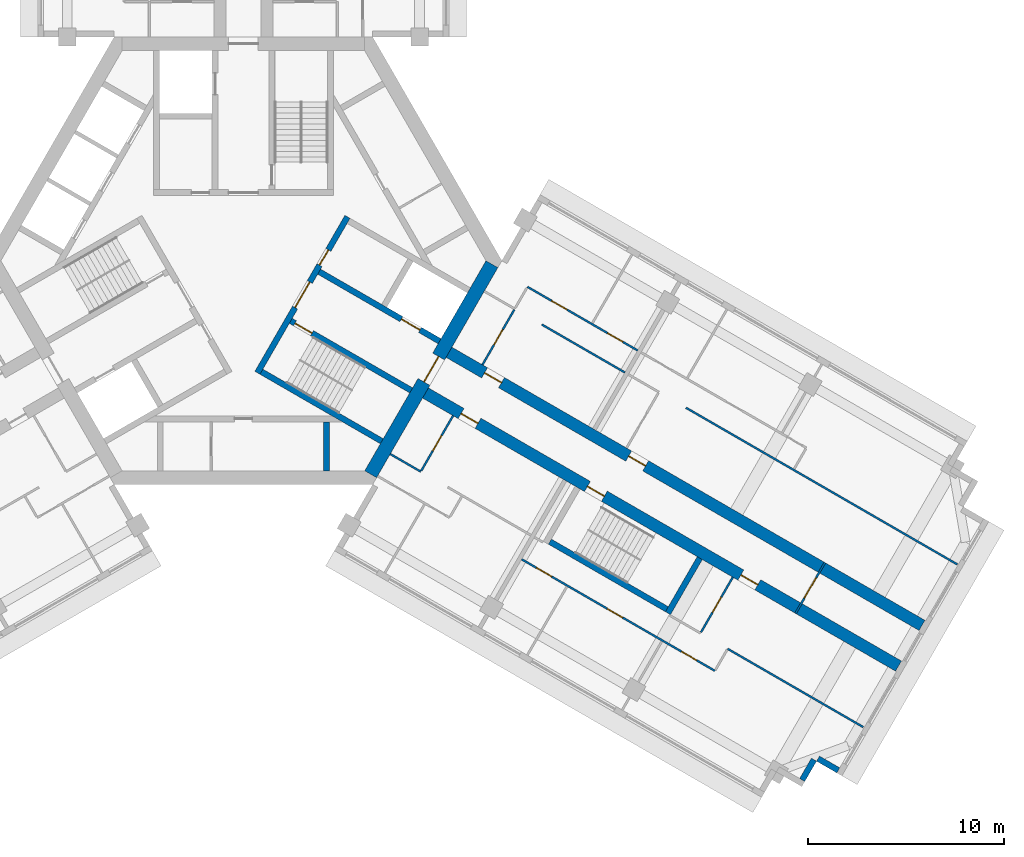
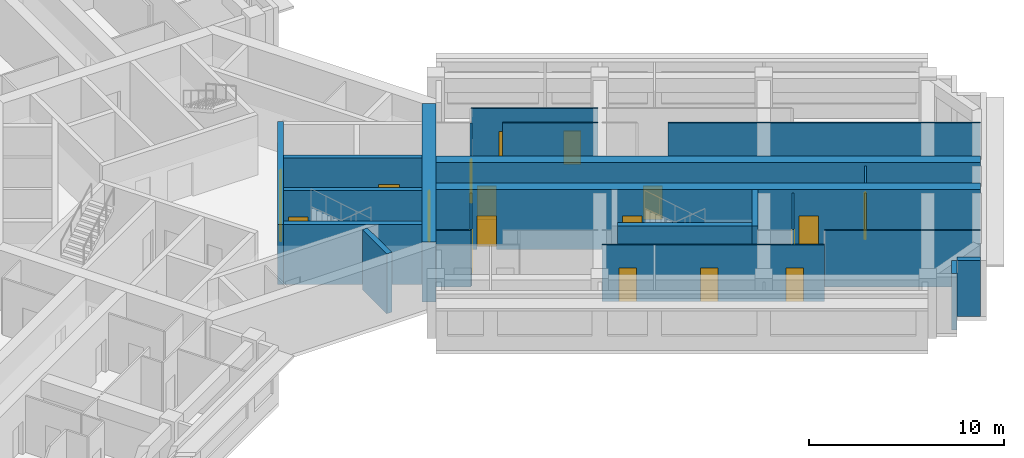
# One storey, part 5 of 10: 22 walls, 19 doors, 19 openings.
"""IFC4 building model written with IfcOpenShell, lengths in metres."""

import ifcopenshell
import ifcopenshell.guid

model = None  # the IFC model being written
_history = None  # IfcOwnerHistory: only IFC2X3 demands one
_inside = {}  # id of a spatial element -> (the spatial element, [elements in it])
_under = {}  # id of a project, library or spatial element -> (it, [spatial elements below it])
_declared = {}  # id of a project -> (the project, [libraries it declares])
_typed = {}  # id of a type object -> (the type object, [elements of that type])
_made_of = {}  # id of a material, layer set ... -> (it, [elements and type objects made of it])


def new_model(schema):
    """Start an empty IFC model of exactly this schema.

    Asked for "IFC4X3", IfcOpenShell would pick the latest addendum, in which some entities
    have other attributes; the version numbers below select the first issue.
    IFC2X3 requires an IfcOwnerHistory on every rooted entity: one is made here for all.
    """
    global model, _history
    if schema == "IFC4X3":
        model = ifcopenshell.file(schema_version=(4, 3, 0, 0))
    else:
        model = ifcopenshell.file(schema=schema)
    _inside.clear()
    _under.clear()
    _declared.clear()
    _typed.clear()
    _made_of.clear()
    _history = None
    if model.schema == "IFC2X3":
        org = make("IfcOrganization", Name="unknown")
        user = make(
            "IfcPersonAndOrganization",
            ThePerson=make("IfcPerson", FamilyName="unknown"),
            TheOrganization=org,
        )
        app = make(
            "IfcApplication",
            ApplicationDeveloper=org,
            Version="unknown",
            ApplicationFullName="unknown",
            ApplicationIdentifier="unknown",
        )
        _history = make(
            "IfcOwnerHistory",
            OwningUser=user,
            OwningApplication=app,
            ChangeAction="ADDED",
            CreationDate=0,
        )
    return model


def make(cls, **values):
    """One entity of the class cls with the attributes given. An attribute that is None is left unset."""
    return model.create_entity(
        cls, **{name: value for name, value in values.items() if value is not None}
    )


def rooted(cls, **values):
    """An entity with a GlobalId (a new one), such as an element, a storey or a relation."""
    return make(cls, GlobalId=ifcopenshell.guid.new(), OwnerHistory=_history, **values)


def si_unit(unit_type, name, prefix=None):
    """IfcSIUnit, for example si_unit("LENGTHUNIT", "METRE", prefix="MILLI")."""
    return make("IfcSIUnit", UnitType=unit_type, Prefix=prefix, Name=name)


def assignment(units):
    """IfcUnitAssignment: the units of a project."""
    return None if units is None else make("IfcUnitAssignment", Units=units)


def point(xyz):
    """IfcCartesianPoint."""
    return None if xyz is None else make("IfcCartesianPoint", Coordinates=xyz)


def direction(xyz):
    """IfcDirection."""
    return None if xyz is None else make("IfcDirection", DirectionRatios=xyz)


def frame(location, z_axis=None, x_axis=None):
    """IfcAxis2Placement3D, a coordinate frame: its origin and axes. An axis left out is left unset."""
    return make(
        "IfcAxis2Placement3D",
        Location=point(location),
        Axis=direction(z_axis),
        RefDirection=direction(x_axis),
    )


def frame_2d(location, x_axis=None):
    """IfcAxis2Placement2D, a coordinate frame in the plane: its origin and x axis."""
    return make(
        "IfcAxis2Placement2D", Location=point(location), RefDirection=direction(x_axis)
    )


def origin():
    """The frame at (0, 0, 0) with its axes left unset."""
    return frame((0.0, 0.0, 0.0))


def place(relative_to, where):
    """IfcLocalPlacement: puts the frame where relative to a parent placement (None: the world)."""
    return make(
        "IfcLocalPlacement", PlacementRelTo=relative_to, RelativePlacement=where
    )


def context(
    kind, dimensions, precision=None, world=None, true_north=None, identifier=None
):
    """IfcGeometricRepresentationContext, for example the 3D "Model" context."""
    return make(
        "IfcGeometricRepresentationContext",
        ContextIdentifier=identifier,
        ContextType=kind,
        CoordinateSpaceDimension=dimensions,
        Precision=precision,
        WorldCoordinateSystem=world,
        TrueNorth=true_north,
    )


def subcontext(parent, identifier, kind, view, scale=None):
    """IfcGeometricRepresentationSubContext, for example "Body" below "Model"."""
    return make(
        "IfcGeometricRepresentationSubContext",
        ContextIdentifier=identifier,
        ContextType=kind,
        ParentContext=parent,
        TargetScale=scale,
        TargetView=view,
    )


def project(units=None, contexts=None):
    """IfcProject with its units and contexts."""
    return rooted(
        "IfcProject",
        Name="project",
        RepresentationContexts=contexts,
        UnitsInContext=assignment(units),
    )


def spatial(cls, under=None, at=None, **own):
    """A site, building, storey or space (cls), placed at a placement, below another one or the project."""
    s = rooted(cls, ObjectPlacement=at, **own)
    if under is not None:
        _under.setdefault(under.id(), (under, []))[1].append(s)
    return s


def profile(cls, at=None, kind="AREA", **sizes):
    """A parametric profile (cls). Its sizes go by their IFC names, for example OverallWidth=200.0."""
    return make(cls, ProfileType=kind, Position=at, **sizes)


def rectangle(**sizes):
    """IfcRectangleProfileDef."""
    return profile("IfcRectangleProfileDef", **sizes)


def extrude(swept, where, along, depth):
    """IfcExtrudedAreaSolid: the profile swept, set in the frame where, extruded along a direction by depth."""
    return make(
        "IfcExtrudedAreaSolid",
        SweptArea=swept,
        Position=where,
        ExtrudedDirection=direction(along),
        Depth=depth,
    )


def shape(context_of_items, identifier, shape_type, items):
    """IfcShapeRepresentation: the items that make up one representation, for example the "Body"."""
    return make(
        "IfcShapeRepresentation",
        ContextOfItems=context_of_items,
        RepresentationIdentifier=identifier,
        RepresentationType=shape_type,
        Items=items,
    )


def material(Name=None, Category=None):
    """IfcMaterial."""
    return make("IfcMaterial", Name=Name, Category=Category)


def layer(
    of_material, thickness, ventilated=None, Name=None, Category=None, Priority=None
):
    """IfcMaterialLayer: one layer of a wall or slab, of a material (None: an air gap)."""
    return make(
        "IfcMaterialLayer",
        Material=of_material,
        LayerThickness=thickness,
        IsVentilated=ventilated,
        Name=Name,
        Category=Category,
        Priority=Priority,
    )


def layer_set(layers, Name=None):
    """IfcMaterialLayerSet."""
    return make("IfcMaterialLayerSet", MaterialLayers=layers, LayerSetName=Name)


def made_of(thing, what):
    """Note that an element or type object is made of a material, layer set ...; save() writes the relation."""
    if what is not None:
        _made_of.setdefault(what.id(), (what, []))[1].append(thing)
    return thing


def type_object(cls, material=None, **own):
    """A type object (cls), such as IfcWallType, which elements share."""
    return made_of(rooted(cls, **own), material)


def element(
    cls,
    number,
    at=None,
    inside=None,
    cuts=None,
    type_object=None,
    material=None,
    context=None,
    identifier="Body",
    shape_type=None,
    held_by="IfcProductDefinitionShape",
    body=None,
    shapes=None,
    **own,
):
    """One element of the class cls, such as IfcWall. Its Tag is "e" and its number.

    at: its placement. inside: the storey or other place that contains it. cuts: it is an
    opening in that element (IfcRelVoidsElement). A single representation is given by context,
    identifier, shape_type and body (its items); several are given by shapes. held_by: the class
    of the entity that holds the representations. save() writes the other relations.
    """
    e = rooted(cls, Tag="e%d" % number, ObjectPlacement=at, **own)
    if body is not None:
        shapes = [shape(context, identifier, shape_type, body)]
    if shapes is not None:
        e.Representation = make(held_by, Representations=shapes)
    if inside is not None:
        _inside.setdefault(inside.id(), (inside, []))[1].append(e)
    if cuts is not None:
        rooted(
            "IfcRelVoidsElement", RelatingBuildingElement=cuts, RelatedOpeningElement=e
        )
    if type_object is not None:
        _typed.setdefault(type_object.id(), (type_object, []))[1].append(e)
    return made_of(e, material)


def fill(opening, filler):
    """IfcRelFillsElement: the door or window that sits in an opening."""
    return rooted(
        "IfcRelFillsElement",
        RelatingOpeningElement=opening,
        RelatedBuildingElement=filler,
    )


def aggregate(whole, parts):
    """IfcRelAggregates: a whole, such as a stair, and the parts it consists of."""
    return rooted("IfcRelAggregates", RelatingObject=whole, RelatedObjects=parts)


def save(model, path):
    """Write the relations noted so far, then the file.

    IfcRelAggregates (storeys below a building ...), IfcRelContainedInSpatialStructure (elements
    in a storey), IfcRelDefinesByType, IfcRelAssociatesMaterial and IfcRelDeclares: one each for
    every whole, place, type object, material and project.
    """
    for whole, parts in _under.values():
        aggregate(whole, parts)
    for where, things in _inside.values():
        rooted(
            "IfcRelContainedInSpatialStructure",
            RelatedElements=things,
            RelatingStructure=where,
        )
    for kind, things in _typed.values():
        rooted("IfcRelDefinesByType", RelatedObjects=things, RelatingType=kind)
    for what, things in _made_of.values():
        rooted("IfcRelAssociatesMaterial", RelatedObjects=things, RelatingMaterial=what)
    for by, libraries in _declared.values():
        rooted("IfcRelDeclares", RelatingContext=by, RelatedDefinitions=libraries)
    model.write(path)


model = new_model("IFC4")

# Units and contexts
model_context = context("Model", 3, precision=1e-05, world=origin(), true_north=direction((0.0, 1.0)))
body_context = subcontext(model_context, "Body", "Model", "MODEL_VIEW")
ifc_project = project(units=[si_unit("LENGTHUNIT", "METRE"), si_unit("AREAUNIT", "SQUARE_METRE"), si_unit("VOLUMEUNIT", "CUBIC_METRE"), si_unit("PLANEANGLEUNIT", "RADIAN"), si_unit("MASSUNIT", "GRAM", prefix="KILO")], contexts=[model_context])

# Site, building, storey
site_placement = place(None, origin())
site = spatial("IfcSite", under=ifc_project, at=site_placement, CompositionType="ELEMENT")
building_placement = place(site_placement, origin())
building = spatial("IfcBuilding", under=site, at=building_placement, Name="Impinga Residences", CompositionType="ELEMENT")
storey_placement = place(building_placement, frame((0.0, 0.0, 222.25)))
storey = spatial("IfcBuildingStorey", under=building, at=storey_placement, Name="L55", CompositionType="ELEMENT", Elevation=222.25)

# Wall, openings, doors
ifc_material_1 = material(Name="Concrete C60/75", Category="concrete")
ifc_layer_1 = layer(ifc_material_1, 0.60009765625)
ifc_layer_set_1 = layer_set([ifc_layer_1], Name="Concrete C60/75")
wall_type_1 = type_object("IfcWallType", Name="BW3 corridor buttress wall, L46 to L73 600", PredefinedType="SHEAR", material=ifc_layer_set_1)
wall_1_placement = place(storey_placement, frame((10.19677734375, -4.50146484375, 0.0), z_axis=(0.0, 0.0, 1.0), x_axis=(0.866026415941, -0.499998246889, 0.0)))
wall_1 = element("IfcWall", 1, at=wall_1_placement, inside=storey, type_object=wall_type_1, Name="Corridor wall BW3 EC L55", PredefinedType="SHEAR", context=body_context, shape_type="SweptSolid", body=[
    extrude(rectangle(XDim=28.25, YDim=0.60009765625, at=frame_2d((14.125, 0.0))), origin(), (0.0, 0.0, 1.0), 3.75),
])
opening_1_placement = place(wall_1_placement, frame((2.449951171875, 0.0, 0.0)))
opening_1 = element("IfcOpeningElement", 2, at=opening_1_placement, cuts=wall_1, Name="Opening D1", PredefinedType="OPENING", context=body_context, shape_type="SweptSolid", body=[
    extrude(rectangle(XDim=1.0, YDim=2.10009765625, at=frame_2d((0.5, 1.050048828125))), frame((0.0, 0.31005859375, 0.0), z_axis=(0.0, -1.0, 0.0), x_axis=(1.0, 0.0, 0.0)), (0.0, 0.0, 1.0), 0.6201171875),
])
opening_2_placement = place(wall_1_placement, frame((10.949951171875, 0.0, 0.0)))
opening_2 = element("IfcOpeningElement", 3, at=opening_2_placement, cuts=wall_1, Name="Opening D1", PredefinedType="OPENING", context=body_context, shape_type="SweptSolid", body=[
    extrude(rectangle(XDim=1.0, YDim=2.10009765625, at=frame_2d((0.5, 1.050048828125))), frame((0.0, 0.31005859375, 0.0), z_axis=(0.0, -1.0, 0.0), x_axis=(1.0, 0.0, 0.0)), (0.0, 0.0, 1.0), 0.6201171875),
])
ifc_material_2 = material(Name="Timber door set", Category="wood")
door_type_1 = type_object("IfcDoorType", Name="D1 apartment entrance door 1000x2100", OperationType="SINGLE_SWING_LEFT", PredefinedType="DOOR", material=ifc_material_2)
door_1_placement = place(opening_1_placement, origin())
door_1 = element("IfcDoor", 4, at=door_1_placement, inside=storey, type_object=door_type_1, Name="Apartment L55-EA1 entrance", OperationType="SINGLE_SWING_LEFT", OverallHeight=2.10009765625, OverallWidth=1.0, PredefinedType="DOOR", context=body_context, shape_type="SweptSolid", body=[
    extrude(rectangle(XDim=1.0, YDim=2.10009765625, at=frame_2d((0.5, 1.050048828125))), frame((0.0, 0.02490234375, 0.0), z_axis=(0.0, -1.0, 0.0), x_axis=(1.0, 0.0, 0.0)), (0.0, 0.0, 1.0), 0.050048828125),
])
fill(opening_1, door_1)
door_2_placement = place(opening_2_placement, origin())
door_2 = element("IfcDoor", 5, at=door_2_placement, inside=storey, type_object=door_type_1, Name="Apartment L55-EA2 entrance", OperationType="SINGLE_SWING_LEFT", OverallHeight=2.10009765625, OverallWidth=1.0, PredefinedType="DOOR", context=body_context, shape_type="SweptSolid", body=[
    extrude(rectangle(XDim=1.0, YDim=2.10009765625, at=frame_2d((0.5, 1.050048828125))), frame((0.0, 0.02490234375, 0.0), z_axis=(0.0, -1.0, 0.0), x_axis=(1.0, 0.0, 0.0)), (0.0, 0.0, 1.0), 0.050048828125),
])
fill(opening_2, door_2)

wall_2_placement = place(storey_placement, frame((8.996826171875, -6.580078125, 0.0), z_axis=(0.0, 0.0, 1.0), x_axis=(0.866026415941, -0.499998246889, 0.0)))
wall_2 = element("IfcWall", 6, at=wall_2_placement, inside=storey, type_object=wall_type_1, Name="Corridor wall BW3 ED L55", PredefinedType="SHEAR", context=body_context, shape_type="SweptSolid", body=[
    extrude(rectangle(XDim=28.25, YDim=0.60009765625, at=frame_2d((14.125, 0.0))), origin(), (0.0, 0.0, 1.0), 3.75),
])
opening_3_placement = place(wall_2_placement, frame((9.89990234375, 0.0, 0.0)))
opening_3 = element("IfcOpeningElement", 7, at=opening_3_placement, cuts=wall_2, Name="Opening D5", PredefinedType="OPENING", context=body_context, shape_type="SweptSolid", body=[
    extrude(rectangle(XDim=1.0, YDim=2.10009765625, at=frame_2d((0.5, 1.050048828125))), frame((0.0, 0.31005859375, 0.0), z_axis=(0.0, -1.0, 0.0), x_axis=(1.0, 0.0, 0.0)), (0.0, 0.0, 1.0), 0.6201171875),
])
opening_4_placement = place(wall_2_placement, frame((2.449951171875, 0.0, 0.0)))
opening_4 = element("IfcOpeningElement", 8, at=opening_4_placement, cuts=wall_2, Name="Opening D1", PredefinedType="OPENING", context=body_context, shape_type="SweptSolid", body=[
    extrude(rectangle(XDim=1.0, YDim=2.10009765625, at=frame_2d((0.5, 1.050048828125))), frame((0.0, 0.31005859375, 0.0), z_axis=(0.0, -1.0, 0.0), x_axis=(1.0, 0.0, 0.0)), (0.0, 0.0, 1.0), 0.6201171875),
])
opening_5_placement = place(wall_2_placement, frame((18.949951171875, 0.0, 0.0)))
opening_5 = element("IfcOpeningElement", 9, at=opening_5_placement, cuts=wall_2, Name="Opening D1", PredefinedType="OPENING", context=body_context, shape_type="SweptSolid", body=[
    extrude(rectangle(XDim=1.0, YDim=2.10009765625, at=frame_2d((0.5, 1.050048828125))), frame((0.0, 0.31005859375, 0.0), z_axis=(0.0, -1.0, 0.0), x_axis=(1.0, 0.0, 0.0)), (0.0, 0.0, 1.0), 0.6201171875),
])
door_3_placement = place(opening_4_placement, origin())
door_3 = element("IfcDoor", 10, at=door_3_placement, inside=storey, type_object=door_type_1, Name="Apartment L55-EF1 entrance", OperationType="SINGLE_SWING_LEFT", OverallHeight=2.10009765625, OverallWidth=1.0, PredefinedType="DOOR", context=body_context, shape_type="SweptSolid", body=[
    extrude(rectangle(XDim=1.0, YDim=2.10009765625, at=frame_2d((0.5, 1.050048828125))), frame((0.0, 0.02490234375, 0.0), z_axis=(0.0, -1.0, 0.0), x_axis=(1.0, 0.0, 0.0)), (0.0, 0.0, 1.0), 0.050048828125),
])
fill(opening_4, door_3)
door_4_placement = place(opening_5_placement, origin())
door_4 = element("IfcDoor", 11, at=door_4_placement, inside=storey, type_object=door_type_1, Name="Apartment L55-EF2 entrance", OperationType="SINGLE_SWING_RIGHT", OverallHeight=2.10009765625, OverallWidth=1.0, PredefinedType="DOOR", context=body_context, shape_type="SweptSolid", body=[
    extrude(rectangle(XDim=1.0, YDim=2.10009765625, at=frame_2d((0.5, 1.050048828125))), frame((0.0, 0.02490234375, 0.0), z_axis=(0.0, -1.0, 0.0), x_axis=(1.0, 0.0, 0.0)), (0.0, 0.0, 1.0), 0.050048828125),
])
fill(opening_5, door_4)
door_type_2 = type_object("IfcDoorType", Name="D5 stair door 1000x2100", OperationType="SINGLE_SWING_LEFT", PredefinedType="DOOR", material=ifc_material_2)
door_5_placement = place(opening_3_placement, origin())
door_5 = element("IfcDoor", 12, at=door_5_placement, inside=storey, type_object=door_type_2, Name="Wing stair door E", OperationType="SINGLE_SWING_LEFT", OverallHeight=2.10009765625, OverallWidth=1.0, PredefinedType="DOOR", context=body_context, shape_type="SweptSolid", body=[
    extrude(rectangle(XDim=1.0, YDim=2.10009765625, at=frame_2d((0.5, 1.050048828125))), frame((0.0, 0.02490234375, 0.0), z_axis=(0.0, -1.0, 0.0), x_axis=(1.0, 0.0, 0.0)), (0.0, 0.0, 1.0), 0.050048828125),
])
fill(opening_3, door_5)

# Wall, opening, door
ifc_material_3 = material(Name="Concrete blockwork", Category="masonry")
ifc_layer_2 = layer(ifc_material_3, 0.10009765625)
ifc_layer_set_2 = layer_set([ifc_layer_2], Name="CP1 core room partition, blockwork 100")
wall_type_2 = type_object("IfcWallType", Name="CP1 core room partition, blockwork 100", PredefinedType="PARTITIONING", material=ifc_layer_set_2)
wall_3_placement = place(storey_placement, frame((29.70263671875, -15.416748046875, 0.0), z_axis=(0.0, 0.0, 1.0), x_axis=(-0.499990139034, -0.866031096941, 0.0)))
wall_3 = element("IfcWall", 13, at=wall_3_placement, inside=storey, type_object=wall_type_2, Name="Core room partition, blockwork L55:E:LNG", PredefinedType="PARTITIONING", context=body_context, shape_type="SweptSolid", body=[
    extrude(rectangle(XDim=3.0, YDim=0.10009765625, at=frame_2d((1.5, 0.0))), origin(), (0.0, 0.0, 1.0), 3.530029296875),
])
opening_6_placement = place(wall_3_placement, frame((0.89990234375, 0.0, 0.0)))
opening_6 = element("IfcOpeningElement", 14, at=opening_6_placement, cuts=wall_3, Name="Opening D3", PredefinedType="OPENING", context=body_context, shape_type="SweptSolid", body=[
    extrude(rectangle(XDim=1.199951171875, YDim=2.10009765625, at=frame_2d((0.60009765625, 1.050048828125))), frame((0.0, 0.06005859375, 0.0), z_axis=(0.0, -1.0, 0.0), x_axis=(1.0, 0.0, 0.0)), (0.0, 0.0, 1.0), 0.1201171875),
])
door_type_3 = type_object("IfcDoorType", Name="D3 room door, leaf and a half 1200x2100", OperationType="DOUBLE_SWING_LEFT", PredefinedType="DOOR", material=ifc_material_2)
door_6_placement = place(opening_6_placement, origin())
door_6 = element("IfcDoor", 15, at=door_6_placement, inside=storey, type_object=door_type_3, Name="Residents' lounge door E", OperationType="DOUBLE_SWING_LEFT", OverallHeight=2.10009765625, OverallWidth=1.199951171875, PredefinedType="DOOR", context=body_context, shape_type="SweptSolid", body=[
    extrude(rectangle(XDim=1.199951171875, YDim=2.10009765625, at=frame_2d((0.60009765625, 1.050048828125))), frame((0.0, 0.02490234375, 0.0), z_axis=(0.0, -1.0, 0.0), x_axis=(1.0, 0.0, 0.0)), (0.0, 0.0, 1.0), 0.050048828125),
])
fill(opening_6, door_6)

# Walls
ifc_material_4 = material(Name="Terracotta rainscreen on blockwork", Category="masonry")
ifc_layer_3 = layer(ifc_material_4, 0.300048828125)
ifc_layer_set_3 = layer_set([ifc_layer_3], Name="EW1 external wall, terracotta rainscreen on blockwork 300")
wall_type_3 = type_object("IfcWallType", Name="EW1 external wall, terracotta rainscreen on blockwork 300", PredefinedType="SOLIDWALL", material=ifc_layer_set_3)
wall_4_placement = place(storey_placement, frame((30.38720703125, -26.031005859375, 0.0), z_axis=(0.0, 0.0, 1.0), x_axis=(-0.866059708757, 0.499940577336, 0.0)))
element("IfcWall", 16, at=wall_4_placement, inside=storey, type_object=wall_type_3, Name="External wall EW1 L55", PredefinedType="SOLIDWALL", context=body_context, shape_type="SweptSolid", body=[
    extrude(rectangle(XDim=1.195068359375, YDim=0.300048828125, at=frame_2d((0.59765625, 0.0))), origin(), (0.0, 0.0, 1.0), 3.530029296875),
])
wall_5_placement = place(storey_placement, frame((29.14306640625, -25.48583984375, 0.0), z_axis=(0.0, 0.0, 1.0), x_axis=(-0.500033551112, -0.866006032174, 0.0)))
element("IfcWall", 17, at=wall_5_placement, inside=storey, type_object=wall_type_3, Name="External wall EW1 L55", PredefinedType="SOLIDWALL", context=body_context, shape_type="SweptSolid", body=[
    extrude(rectangle(XDim=1.2001953125, YDim=0.300048828125, at=frame_2d((0.60009765625, 0.0))), origin(), (0.0, 0.0, 1.0), 3.530029296875),
])
ifc_material_5 = material(Name="Gypsum board on steel studs", Category="steel")
ifc_layer_4 = layer(ifc_material_5, 0.10009765625)
ifc_layer_set_4 = layer_set([ifc_layer_4], Name="Gypsum board on steel studs")
wall_type_4 = type_object("IfcWallType", Name="IP1 partition 100", PredefinedType="PARTITIONING", material=ifc_layer_set_4)
wall_6_placement = place(storey_placement, frame((15.244384765625, -3.2587890625, 0.0), z_axis=(0.0, 0.0, 1.0), x_axis=(0.866036242063, -0.49998122708, 0.0)))
element("IfcWall", 18, at=wall_6_placement, inside=storey, type_object=wall_type_4, Name="Partition L55-EA1:DIV1", PredefinedType="PARTITIONING", context=body_context, shape_type="SweptSolid", body=[
    extrude(rectangle(XDim=4.900146484375, YDim=0.10009765625, at=frame_2d((2.4501953125, 0.0))), origin(), (0.0, 0.0, 1.0), 3.530029296875),
])

# Wall, openings, doors
wall_7_placement = place(storey_placement, frame((14.5087890625, -1.3330078125, 0.0), z_axis=(0.0, 0.0, 1.0), x_axis=(0.866024837091, -0.50000098154, 0.0)))
wall_7 = element("IfcWall", 19, at=wall_7_placement, inside=storey, type_object=wall_type_4, Name="Partition L55-EA1:STRIP", PredefinedType="PARTITIONING", context=body_context, shape_type="SweptSolid", body=[
    extrude(rectangle(XDim=6.5, YDim=0.10009765625, at=frame_2d((3.25, 0.0))), origin(), (0.0, 0.0, 1.0), 3.530029296875),
])
opening_7_placement = place(wall_7_placement, frame((1.425048828125, 0.0, 0.0)))
opening_7 = element("IfcOpeningElement", 20, at=opening_7_placement, cuts=wall_7, Name="Opening D2", PredefinedType="OPENING", context=body_context, shape_type="SweptSolid", body=[
    extrude(rectangle(XDim=0.89990234375, YDim=2.10009765625, at=frame_2d((0.449951171875, 1.050048828125))), frame((0.0, 0.06005859375, 0.0), z_axis=(0.0, -1.0, 0.0), x_axis=(1.0, 0.0, 0.0)), (0.0, 0.0, 1.0), 0.1201171875),
])
opening_8_placement = place(wall_7_placement, frame((4.72509765625, 0.0, 0.0)))
opening_8 = element("IfcOpeningElement", 21, at=opening_8_placement, cuts=wall_7, Name="Opening D2", PredefinedType="OPENING", context=body_context, shape_type="SweptSolid", body=[
    extrude(rectangle(XDim=0.89990234375, YDim=2.10009765625, at=frame_2d((0.449951171875, 1.050048828125))), frame((0.0, 0.06005859375, 0.0), z_axis=(0.0, -1.0, 0.0), x_axis=(1.0, 0.0, 0.0)), (0.0, 0.0, 1.0), 0.1201171875),
])
door_type_4 = type_object("IfcDoorType", Name="D2 internal door 900x2100", OperationType="SINGLE_SWING_LEFT", PredefinedType="DOOR", material=ifc_material_2)
door_7_placement = place(opening_7_placement, origin())
door_7 = element("IfcDoor", 22, at=door_7_placement, inside=storey, type_object=door_type_4, Name="Apartment L55-EA1 room door", OperationType="SINGLE_SWING_LEFT", OverallHeight=2.10009765625, OverallWidth=0.89990234375, PredefinedType="DOOR", context=body_context, shape_type="SweptSolid", body=[
    extrude(rectangle(XDim=0.89990234375, YDim=2.10009765625, at=frame_2d((0.449951171875, 1.050048828125))), frame((0.0, 0.02490234375, 0.0), z_axis=(0.0, -1.0, 0.0), x_axis=(1.0, 0.0, 0.0)), (0.0, 0.0, 1.0), 0.050048828125),
])
fill(opening_7, door_7)
door_8_placement = place(opening_8_placement, origin())
door_8 = element("IfcDoor", 23, at=door_8_placement, inside=storey, type_object=door_type_4, Name="Apartment L55-EA1 room door", OperationType="SINGLE_SWING_RIGHT", OverallHeight=2.10009765625, OverallWidth=0.89990234375, PredefinedType="DOOR", context=body_context, shape_type="SweptSolid", body=[
    extrude(rectangle(XDim=0.89990234375, YDim=2.10009765625, at=frame_2d((0.449951171875, 1.050048828125))), frame((0.0, 0.02490234375, 0.0), z_axis=(0.0, -1.0, 0.0), x_axis=(1.0, 0.0, 0.0)), (0.0, 0.0, 1.0), 0.050048828125),
])
fill(opening_8, door_8)

# Wall, opening, door
wall_8_placement = place(storey_placement, frame((12.208740234375, -5.316650390625, 0.0), z_axis=(0.0, 0.0, 1.0), x_axis=(0.500017246033, 0.866015446554, 0.0)))
wall_8 = element("IfcWall", 24, at=wall_8_placement, inside=storey, type_object=wall_type_4, Name="Partition L55-EA1:IB1", PredefinedType="PARTITIONING", context=body_context, shape_type="SweptSolid", body=[
    extrude(rectangle(XDim=3.25, YDim=0.10009765625, at=frame_2d((1.625, 0.0))), origin(), (0.0, 0.0, 1.0), 3.530029296875),
])
opening_9_placement = place(wall_8_placement, frame((1.175048828125, 0.0, 0.0)))
opening_9 = element("IfcOpeningElement", 25, at=opening_9_placement, cuts=wall_8, Name="Opening D2", PredefinedType="OPENING", context=body_context, shape_type="SweptSolid", body=[
    extrude(rectangle(XDim=0.89990234375, YDim=2.10009765625, at=frame_2d((0.449951171875, 1.050048828125))), frame((0.0, 0.06005859375, 0.0), z_axis=(0.0, -1.0, 0.0), x_axis=(1.0, 0.0, 0.0)), (0.0, 0.0, 1.0), 0.1201171875),
])
door_9_placement = place(opening_9_placement, origin())
door_9 = element("IfcDoor", 26, at=door_9_placement, inside=storey, type_object=door_type_4, Name="Apartment L55-EA1 bathroom door", OperationType="SINGLE_SWING_LEFT", OverallHeight=2.10009765625, OverallWidth=0.89990234375, PredefinedType="DOOR", context=body_context, shape_type="SweptSolid", body=[
    extrude(rectangle(XDim=0.89990234375, YDim=2.10009765625, at=frame_2d((0.449951171875, 1.050048828125))), frame((0.0, 0.02490234375, 0.0), z_axis=(0.0, -1.0, 0.0), x_axis=(1.0, 0.0, 0.0)), (0.0, 0.0, 1.0), 0.050048828125),
])
fill(opening_9, door_9)

# Walls
wall_9_placement = place(storey_placement, frame((22.605712890625, -7.5087890625, 0.0), z_axis=(0.0, 0.0, 1.0), x_axis=(0.866026010844, -0.49999894854, 0.0)))
element("IfcWall", 27, at=wall_9_placement, inside=storey, type_object=wall_type_4, Name="Partition L55-EA2:DIV1", PredefinedType="PARTITIONING", context=body_context, shape_type="SweptSolid", body=[
    extrude(rectangle(XDim=16.0, YDim=0.10009765625, at=frame_2d((8.0, 0.0))), origin(), (0.0, 0.0, 1.0), 3.530029296875),
])
wall_10_placement = place(storey_placement, frame((7.5, -9.872802734375, 0.0), z_axis=(0.0, 0.0, 1.0), x_axis=(0.866047807691, -0.499961193289, 0.0)))
element("IfcWall", 28, at=wall_10_placement, inside=storey, type_object=wall_type_4, Name="Partition L55-EF1:DIV0", PredefinedType="PARTITIONING", context=body_context, shape_type="SweptSolid", body=[
    extrude(rectangle(XDim=1.800048828125, YDim=0.10009765625, at=frame_2d((0.89990234375, 0.0))), origin(), (0.0, 0.0, 1.0), 3.530029296875),
])

# Wall, opening, door
wall_11_placement = place(storey_placement, frame((10.708740234375, -7.914794921875, 0.0), z_axis=(0.0, 0.0, 1.0), x_axis=(-0.499984717929, -0.866034226713, 0.0)))
wall_11 = element("IfcWall", 29, at=wall_11_placement, inside=storey, type_object=wall_type_4, Name="Partition L55-EF1:IB1", PredefinedType="PARTITIONING", context=body_context, shape_type="SweptSolid", body=[
    extrude(rectangle(XDim=3.25, YDim=0.10009765625, at=frame_2d((1.625, 0.0))), origin(), (0.0, 0.0, 1.0), 3.530029296875),
])
opening_10_placement = place(wall_11_placement, frame((1.175048828125, 0.0, 0.0)))
opening_10 = element("IfcOpeningElement", 30, at=opening_10_placement, cuts=wall_11, Name="Opening D2", PredefinedType="OPENING", context=body_context, shape_type="SweptSolid", body=[
    extrude(rectangle(XDim=0.89990234375, YDim=2.10009765625, at=frame_2d((0.449951171875, 1.050048828125))), frame((0.0, 0.06005859375, 0.0), z_axis=(0.0, -1.0, 0.0), x_axis=(1.0, 0.0, 0.0)), (0.0, 0.0, 1.0), 0.1201171875),
])
door_10_placement = place(opening_10_placement, origin())
door_10 = element("IfcDoor", 31, at=door_10_placement, inside=storey, type_object=door_type_4, Name="Apartment L55-EF1 bathroom door", OperationType="SINGLE_SWING_LEFT", OverallHeight=2.10009765625, OverallWidth=0.89990234375, PredefinedType="DOOR", context=body_context, shape_type="SweptSolid", body=[
    extrude(rectangle(XDim=0.89990234375, YDim=2.10009765625, at=frame_2d((0.449951171875, 1.050048828125))), frame((0.0, 0.02490234375, 0.0), z_axis=(0.0, -1.0, 0.0), x_axis=(1.0, 0.0, 0.0)), (0.0, 0.0, 1.0), 0.050048828125),
])
fill(opening_10, door_10)

# Wall
wall_12_placement = place(storey_placement, frame((24.73388671875, -19.82275390625, 0.0), z_axis=(0.0, 0.0, 1.0), x_axis=(0.866026010844, -0.49999894854, 0.0)))
element("IfcWall", 32, at=wall_12_placement, inside=storey, type_object=wall_type_4, Name="Partition L55-EF2:DIV2", PredefinedType="PARTITIONING", context=body_context, shape_type="SweptSolid", body=[
    extrude(rectangle(XDim=8.0, YDim=0.10009765625, at=frame_2d((4.0, 0.0))), origin(), (0.0, 0.0, 1.0), 3.530029296875),
])

# Wall, openings, doors
wall_13_placement = place(storey_placement, frame((14.211181640625, -15.24853515625, 0.0), z_axis=(0.0, 0.0, 1.0), x_axis=(0.866029739339, -0.499992490525, 0.0)))
wall_13 = element("IfcWall", 33, at=wall_13_placement, inside=storey, type_object=wall_type_4, Name="Partition L55-EF2:STRIP", PredefinedType="PARTITIONING", context=body_context, shape_type="SweptSolid", body=[
    extrude(rectangle(XDim=11.400146484375, YDim=0.10009765625, at=frame_2d((5.7001953125, 0.0))), origin(), (0.0, 0.0, 1.0), 3.530029296875),
])
opening_11_placement = place(wall_13_placement, frame((0.875, 0.0, 0.0)))
opening_11 = element("IfcOpeningElement", 34, at=opening_11_placement, cuts=wall_13, Name="Opening D2", PredefinedType="OPENING", context=body_context, shape_type="SweptSolid", body=[
    extrude(rectangle(XDim=0.89990234375, YDim=2.10009765625, at=frame_2d((0.449951171875, 1.050048828125))), frame((0.0, 0.06005859375, 0.0), z_axis=(0.0, -1.0, 0.0), x_axis=(1.0, 0.0, 0.0)), (0.0, 0.0, 1.0), 0.1201171875),
])
opening_12_placement = place(wall_13_placement, frame((5.050048828125, 0.0, 0.0)))
opening_12 = element("IfcOpeningElement", 35, at=opening_12_placement, cuts=wall_13, Name="Opening D2", PredefinedType="OPENING", context=body_context, shape_type="SweptSolid", body=[
    extrude(rectangle(XDim=0.89990234375, YDim=2.10009765625, at=frame_2d((0.449951171875, 1.050048828125))), frame((0.0, 0.06005859375, 0.0), z_axis=(0.0, -1.0, 0.0), x_axis=(1.0, 0.0, 0.0)), (0.0, 0.0, 1.0), 0.1201171875),
])
opening_13_placement = place(wall_13_placement, frame((9.425048828125, 0.0, 0.0)))
opening_13 = element("IfcOpeningElement", 36, at=opening_13_placement, cuts=wall_13, Name="Opening D2", PredefinedType="OPENING", context=body_context, shape_type="SweptSolid", body=[
    extrude(rectangle(XDim=0.89990234375, YDim=2.10009765625, at=frame_2d((0.449951171875, 1.050048828125))), frame((0.0, 0.06005859375, 0.0), z_axis=(0.0, -1.0, 0.0), x_axis=(1.0, 0.0, 0.0)), (0.0, 0.0, 1.0), 0.1201171875),
])
door_11_placement = place(opening_11_placement, origin())
door_11 = element("IfcDoor", 37, at=door_11_placement, inside=storey, type_object=door_type_4, Name="Apartment L55-EF2 room door", OperationType="SINGLE_SWING_LEFT", OverallHeight=2.10009765625, OverallWidth=0.89990234375, PredefinedType="DOOR", context=body_context, shape_type="SweptSolid", body=[
    extrude(rectangle(XDim=0.89990234375, YDim=2.10009765625, at=frame_2d((0.449951171875, 1.050048828125))), frame((0.0, 0.02490234375, 0.0), z_axis=(0.0, -1.0, 0.0), x_axis=(1.0, 0.0, 0.0)), (0.0, 0.0, 1.0), 0.050048828125),
])
fill(opening_11, door_11)
door_12_placement = place(opening_12_placement, origin())
door_12 = element("IfcDoor", 38, at=door_12_placement, inside=storey, type_object=door_type_4, Name="Apartment L55-EF2 room door", OperationType="SINGLE_SWING_LEFT", OverallHeight=2.10009765625, OverallWidth=0.89990234375, PredefinedType="DOOR", context=body_context, shape_type="SweptSolid", body=[
    extrude(rectangle(XDim=0.89990234375, YDim=2.10009765625, at=frame_2d((0.449951171875, 1.050048828125))), frame((0.0, 0.02490234375, 0.0), z_axis=(0.0, -1.0, 0.0), x_axis=(1.0, 0.0, 0.0)), (0.0, 0.0, 1.0), 0.050048828125),
])
fill(opening_12, door_12)
door_13_placement = place(opening_13_placement, origin())
door_13 = element("IfcDoor", 39, at=door_13_placement, inside=storey, type_object=door_type_4, Name="Apartment L55-EF2 room door", OperationType="SINGLE_SWING_RIGHT", OverallHeight=2.10009765625, OverallWidth=0.89990234375, PredefinedType="DOOR", context=body_context, shape_type="SweptSolid", body=[
    extrude(rectangle(XDim=0.89990234375, YDim=2.10009765625, at=frame_2d((0.449951171875, 1.050048828125))), frame((0.0, 0.02490234375, 0.0), z_axis=(0.0, -1.0, 0.0), x_axis=(1.0, 0.0, 0.0)), (0.0, 0.0, 1.0), 0.050048828125),
])
fill(opening_13, door_13)

# Wall, opening, door
wall_14_placement = place(storey_placement, frame((24.998291015625, -16.164794921875, 0.0), z_axis=(0.0, 0.0, 1.0), x_axis=(-0.499984717929, -0.866034226713, 0.0)))
wall_14 = element("IfcWall", 40, at=wall_14_placement, inside=storey, type_object=wall_type_4, Name="Partition L55-EF2:IB1", PredefinedType="PARTITIONING", context=body_context, shape_type="SweptSolid", body=[
    extrude(rectangle(XDim=3.25, YDim=0.10009765625, at=frame_2d((1.625, 0.0))), origin(), (0.0, 0.0, 1.0), 3.530029296875),
])
opening_14_placement = place(wall_14_placement, frame((1.175048828125, 0.0, 0.0)))
opening_14 = element("IfcOpeningElement", 41, at=opening_14_placement, cuts=wall_14, Name="Opening D2", PredefinedType="OPENING", context=body_context, shape_type="SweptSolid", body=[
    extrude(rectangle(XDim=0.89990234375, YDim=2.10009765625, at=frame_2d((0.449951171875, 1.050048828125))), frame((0.0, 0.06005859375, 0.0), z_axis=(0.0, -1.0, 0.0), x_axis=(1.0, 0.0, 0.0)), (0.0, 0.0, 1.0), 0.1201171875),
])
door_14_placement = place(opening_14_placement, origin())
door_14 = element("IfcDoor", 42, at=door_14_placement, inside=storey, type_object=door_type_4, Name="Apartment L55-EF2 bathroom door", OperationType="SINGLE_SWING_LEFT", OverallHeight=2.10009765625, OverallWidth=0.89990234375, PredefinedType="DOOR", context=body_context, shape_type="SweptSolid", body=[
    extrude(rectangle(XDim=0.89990234375, YDim=2.10009765625, at=frame_2d((0.449951171875, 1.050048828125))), frame((0.0, 0.02490234375, 0.0), z_axis=(0.0, -1.0, 0.0), x_axis=(1.0, 0.0, 0.0)), (0.0, 0.0, 1.0), 0.050048828125),
])
fill(opening_14, door_14)

# Walls
ifc_layer_5 = layer(ifc_material_1, 0.300048828125)
ifc_layer_set_5 = layer_set([ifc_layer_5], Name="Concrete C60/75")
wall_type_5 = type_object("IfcWallType", Name="SE1 wing stair enclosure wall 300", PredefinedType="SOLIDWALL", material=ifc_layer_set_5)
wall_15_placement = place(storey_placement, frame((23.3095703125, -15.189697265625, 0.0), z_axis=(0.0, 0.0, 1.0), x_axis=(-0.499984717929, -0.866034226713, 0.0)))
element("IfcWall", 43, at=wall_15_placement, inside=storey, type_object=wall_type_5, Name="Stair enclosure wall SE1 E END1 L55", PredefinedType="SOLIDWALL", context=body_context, shape_type="SweptSolid", body=[
    extrude(rectangle(XDim=3.25, YDim=0.300048828125, at=frame_2d((1.625, 0.0))), origin(), (0.0, 0.0, 1.0), 3.75),
])
wall_16_placement = place(storey_placement, frame((15.654052734375, -14.349365234375, 0.0), z_axis=(0.0, 0.0, 1.0), x_axis=(0.866013532718, -0.500020560727, 0.0)))
element("IfcWall", 44, at=wall_16_placement, inside=storey, type_object=wall_type_5, Name="Stair enclosure wall SE1 E OUT L55", PredefinedType="SOLIDWALL", context=body_context, shape_type="SweptSolid", body=[
    extrude(rectangle(XDim=6.900146484375, YDim=0.300048828125, at=frame_2d((3.4501953125, 0.0))), origin(), (0.0, 0.0, 1.0), 3.75),
])

# Wall, opening, door
ifc_layer_6 = layer(ifc_material_1, 0.699951171875)
ifc_layer_set_6 = layer_set([ifc_layer_6], Name="Concrete C60/75")
wall_type_6 = type_object("IfcWallType", Name="SW3 core wall 700", PredefinedType="SHEAR", material=ifc_layer_set_6)
wall_17_placement = place(storey_placement, frame((12.69482421875, -0.175048828125, 0.0), z_axis=(0.0, 0.0, 1.0), x_axis=(-0.499999875397, -0.866025475724, 0.0)))
wall_17 = element("IfcWall", 45, at=wall_17_placement, inside=storey, type_object=wall_type_6, Name="Core wall SW3 E:FACE L55", PredefinedType="SHEAR", context=body_context, shape_type="SweptSolid", body=[
    extrude(rectangle(XDim=12.3916015625, YDim=0.699951171875, at=frame_2d((6.19580078125, 0.0))), origin(), (0.0, 0.0, 1.0), 3.75),
])
opening_15_placement = place(wall_17_placement, frame((5.44580078125, 0.0, 0.0)))
opening_15 = element("IfcOpeningElement", 46, at=opening_15_placement, cuts=wall_17, Name="Opening D4", PredefinedType="OPENING", context=body_context, shape_type="SweptSolid", body=[
    extrude(rectangle(XDim=1.5, YDim=2.10009765625, at=frame_2d((0.75, 1.050048828125))), frame((0.0, 0.35986328125, 0.0), z_axis=(0.0, -1.0, 0.0), x_axis=(1.0, 0.0, 0.0)), (0.0, 0.0, 1.0), 0.719970703125),
])
door_type_5 = type_object("IfcDoorType", Name="D4 lobby door pair 1500x2100", OperationType="DOUBLE_DOOR_DOUBLE_SWING", PredefinedType="DOOR", material=ifc_material_2)
door_15_placement = place(opening_15_placement, origin())
door_15 = element("IfcDoor", 47, at=door_15_placement, inside=storey, type_object=door_type_5, Name="Lobby door E", OperationType="DOUBLE_DOOR_DOUBLE_SWING", OverallHeight=2.10009765625, OverallWidth=1.5, PredefinedType="DOOR", context=body_context, shape_type="SweptSolid", body=[
    extrude(rectangle(XDim=1.5, YDim=2.10009765625, at=frame_2d((0.75, 1.050048828125))), frame((0.0, 0.02490234375, 0.0), z_axis=(0.0, -1.0, 0.0), x_axis=(1.0, 0.0, 0.0)), (0.0, 0.0, 1.0), 0.050048828125),
])
fill(opening_15, door_15)

# Wall, openings, doors
ifc_material_6 = material(Name="Concrete C70/85", Category="concrete")
ifc_layer_7 = layer(ifc_material_6, 0.300048828125)
ifc_layer_set_7 = layer_set([ifc_layer_7], Name="Concrete C70/85")
wall_type_7 = type_object("IfcWallType", Name="SW5 core inner wall, stairs, shafts and lobbies 300", PredefinedType="SHEAR", material=ifc_layer_set_7)
wall_18_placement = place(storey_placement, frame((5.313720703125, 2.24365234375, 0.0), z_axis=(0.0, 0.0, 1.0), x_axis=(-0.499995050369, -0.866028261437, 0.0)))
wall_18 = element("IfcWall", 48, at=wall_18_placement, inside=storey, type_object=wall_type_7, Name="Core wall SW5 E:ZONE L55", PredefinedType="SHEAR", context=body_context, shape_type="SweptSolid", body=[
    extrude(rectangle(XDim=9.19970703125, YDim=0.300048828125, at=frame_2d((4.599853515625, 0.0))), origin(), (0.0, 0.0, 1.0), 3.75),
])
opening_16_placement = place(wall_18_placement, frame((3.85009765625, 0.0, 0.0)))
opening_16 = element("IfcOpeningElement", 49, at=opening_16_placement, cuts=wall_18, Name="Opening D4", PredefinedType="OPENING", context=body_context, shape_type="SweptSolid", body=[
    extrude(rectangle(XDim=1.5, YDim=2.10009765625, at=frame_2d((0.75, 1.050048828125))), frame((0.0, 0.159912109375, 0.0), z_axis=(0.0, -1.0, 0.0), x_axis=(1.0, 0.0, 0.0)), (0.0, 0.0, 1.0), 0.320068359375),
])
opening_17_placement = place(wall_18_placement, frame((1.949951171875, 0.0, 0.0)))
opening_17 = element("IfcOpeningElement", 50, at=opening_17_placement, cuts=wall_18, Name="Opening D6", PredefinedType="OPENING", context=body_context, shape_type="SweptSolid", body=[
    extrude(rectangle(XDim=0.89990234375, YDim=2.10009765625, at=frame_2d((0.449951171875, 1.050048828125))), frame((0.0, 0.159912109375, 0.0), z_axis=(0.0, -1.0, 0.0), x_axis=(1.0, 0.0, 0.0)), (0.0, 0.0, 1.0), 0.320068359375),
])
door_16_placement = place(opening_16_placement, origin())
door_16 = element("IfcDoor", 51, at=door_16_placement, inside=storey, type_object=door_type_5, Name="Firefighting lobby door E", OperationType="DOUBLE_DOOR_DOUBLE_SWING", OverallHeight=2.10009765625, OverallWidth=1.5, PredefinedType="DOOR", context=body_context, shape_type="SweptSolid", body=[
    extrude(rectangle(XDim=1.5, YDim=2.10009765625, at=frame_2d((0.75, 1.050048828125))), frame((0.0, 0.02490234375, 0.0), z_axis=(0.0, -1.0, 0.0), x_axis=(1.0, 0.0, 0.0)), (0.0, 0.0, 1.0), 0.050048828125),
])
fill(opening_16, door_16)
door_type_6 = type_object("IfcDoorType", Name="D6 riser and store door 900x2100", OperationType="SINGLE_SWING_LEFT", PredefinedType="DOOR", material=ifc_material_2)
door_17_placement = place(opening_17_placement, origin())
door_17 = element("IfcDoor", 52, at=door_17_placement, inside=storey, type_object=door_type_6, Name="Riser door E", OperationType="SINGLE_SWING_LEFT", OverallHeight=2.10009765625, OverallWidth=0.89990234375, PredefinedType="DOOR", context=body_context, shape_type="SweptSolid", body=[
    extrude(rectangle(XDim=0.89990234375, YDim=2.10009765625, at=frame_2d((0.449951171875, 1.050048828125))), frame((0.0, 0.02490234375, 0.0), z_axis=(0.0, -1.0, 0.0), x_axis=(1.0, 0.0, 0.0)), (0.0, 0.0, 1.0), 0.050048828125),
])
fill(opening_17, door_17)

# Wall, opening, door
wall_19_placement = place(storey_placement, frame((2.418701171875, -3.07080078125, 0.0), z_axis=(0.0, 0.0, 1.0), x_axis=(0.866025859768, -0.499999210213, 0.0)))
wall_19 = element("IfcWall", 53, at=wall_19_placement, inside=storey, type_object=wall_type_7, Name="Core wall SW5 E:ST-IN L55", PredefinedType="SHEAR", context=body_context, shape_type="SweptSolid", body=[
    extrude(rectangle(XDim=7.1015625, YDim=0.300048828125, at=frame_2d((3.55078125, 0.0))), origin(), (0.0, 0.0, 1.0), 3.75),
])
opening_18_placement = place(wall_19_placement, frame((0.25, 0.0, 0.0)))
opening_18 = element("IfcOpeningElement", 54, at=opening_18_placement, cuts=wall_19, Name="Opening D5", PredefinedType="OPENING", context=body_context, shape_type="SweptSolid", body=[
    extrude(rectangle(XDim=1.0, YDim=2.10009765625, at=frame_2d((0.5, 1.050048828125))), frame((0.0, 0.159912109375, 0.0), z_axis=(0.0, -1.0, 0.0), x_axis=(1.0, 0.0, 0.0)), (0.0, 0.0, 1.0), 0.320068359375),
])
door_18_placement = place(opening_18_placement, origin())
door_18 = element("IfcDoor", 55, at=door_18_placement, inside=storey, type_object=door_type_2, Name="Stair door E", OperationType="SINGLE_SWING_LEFT", OverallHeight=2.10009765625, OverallWidth=1.0, PredefinedType="DOOR", context=body_context, shape_type="SweptSolid", body=[
    extrude(rectangle(XDim=1.0, YDim=2.10009765625, at=frame_2d((0.5, 1.050048828125))), frame((0.0, 0.02490234375, 0.0), z_axis=(0.0, -1.0, 0.0), x_axis=(1.0, 0.0, 0.0)), (0.0, 0.0, 1.0), 0.050048828125),
])
fill(opening_18, door_18)

# Wall
wall_20_placement = place(storey_placement, frame((0.918701171875, -5.668701171875, 0.0), z_axis=(0.0, 0.0, 1.0), x_axis=(0.866025859768, -0.499999210213, 0.0)))
element("IfcWall", 56, at=wall_20_placement, inside=storey, type_object=wall_type_7, Name="Core wall SW5 E:ST-OUT L55", PredefinedType="SHEAR", context=body_context, shape_type="SweptSolid", body=[
    extrude(rectangle(XDim=7.1015625, YDim=0.300048828125, at=frame_2d((3.55078125, 0.0))), origin(), (0.0, 0.0, 1.0), 3.75),
])

# Wall, opening, door
wall_21_placement = place(storey_placement, frame((3.86865234375, -0.559326171875, 0.0), z_axis=(0.0, 0.0, 1.0), x_axis=(0.866025859768, -0.499999210213, 0.0)))
wall_21 = element("IfcWall", 57, at=wall_21_placement, inside=storey, type_object=wall_type_7, Name="Core wall SW5 E:FF-IN L55", PredefinedType="SHEAR", context=body_context, shape_type="SweptSolid", body=[
    extrude(rectangle(XDim=7.1015625, YDim=0.300048828125, at=frame_2d((3.55078125, 0.0))), origin(), (0.0, 0.0, 1.0), 3.75),
])
opening_19_placement = place(wall_21_placement, frame((4.85009765625, 0.0, 0.0)))
opening_19 = element("IfcOpeningElement", 58, at=opening_19_placement, cuts=wall_21, Name="Opening LD2", PredefinedType="OPENING", context=body_context, shape_type="SweptSolid", body=[
    extrude(rectangle(XDim=1.10009765625, YDim=2.10009765625, at=frame_2d((0.550048828125, 1.050048828125))), frame((0.0, 0.159912109375, 0.0), z_axis=(0.0, -1.0, 0.0), x_axis=(1.0, 0.0, 0.0)), (0.0, 0.0, 1.0), 0.320068359375),
])
ifc_material_7 = material(Name="Steel lift landing door", Category="steel")
door_type_7 = type_object("IfcDoorType", Name="LD2 firefighting lift landing door 1100x2100", OperationType="DOUBLE_DOOR_SLIDING", PredefinedType="DOOR", material=ifc_material_7)
door_19_placement = place(opening_19_placement, origin())
door_19 = element("IfcDoor", 59, at=door_19_placement, inside=storey, type_object=door_type_7, Name="Firefighting lift landing door F3", OperationType="DOUBLE_DOOR_SLIDING", OverallHeight=2.10009765625, OverallWidth=1.10009765625, PredefinedType="DOOR", context=body_context, shape_type="SweptSolid", body=[
    extrude(rectangle(XDim=1.10009765625, YDim=2.10009765625, at=frame_2d((0.550048828125, 1.050048828125))), frame((0.0, 0.02490234375, 0.0), z_axis=(0.0, -1.0, 0.0), x_axis=(1.0, 0.0, 0.0)), (0.0, 0.0, 1.0), 0.050048828125),
])
fill(opening_19, door_19)

# Wall
wall_22_placement = place(storey_placement, frame((4.25, -8.2314453125, 0.0), z_axis=(0.0, 0.0, 1.0), x_axis=(0.0, -1.0, 0.0)))
element("IfcWall", 60, at=wall_22_placement, inside=storey, type_object=wall_type_7, Name="Core wall SW5 N:BANK-L L55", PredefinedType="SHEAR", context=body_context, shape_type="SweptSolid", body=[
    extrude(rectangle(XDim=2.5, YDim=0.300048828125, at=frame_2d((1.25, 0.0))), origin(), (0.0, 0.0, 1.0), 3.75),
])

save(model, "model.ifc")
